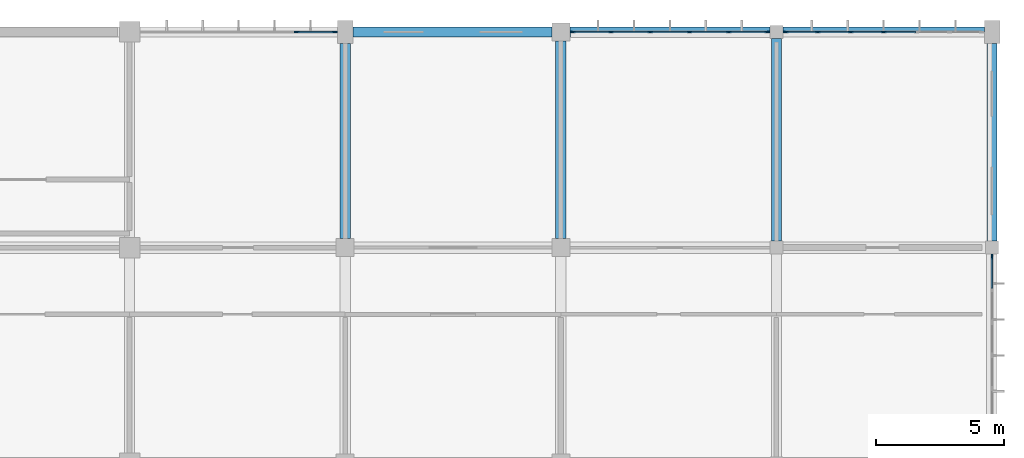
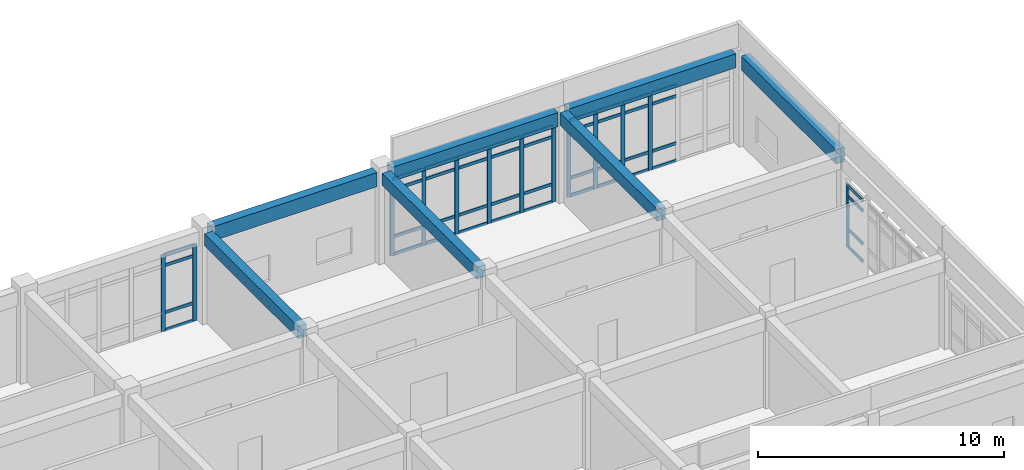
# One storey, part 61 of 138: 57 members, 7 beams, 4 elements without a shape of their own.
"""IFC4 building model written with IfcOpenShell, lengths in metres."""

from ifc_helpers import new_model, si_unit, direction, frame, origin, origin_2d, place, context, subcontext, project, spatial, rectangle, extrude, material, layer, layer_set, material_profile, profile_set, type_object, element, aggregate, save


model = new_model("IFC4")

# Units and contexts
model_context = context("Model", 3, precision=1e-05, world=origin(), true_north=direction((0.0, 1.0)))
body_context = subcontext(model_context, "Body", "Model", "MODEL_VIEW")
ifc_project = project(units=[si_unit("LENGTHUNIT", "METRE"), si_unit("AREAUNIT", "SQUARE_METRE"), si_unit("VOLUMEUNIT", "CUBIC_METRE"), si_unit("PLANEANGLEUNIT", "RADIAN"), si_unit("MASSUNIT", "GRAM", prefix="KILO")], contexts=[model_context])

# Site, building, storey
site_placement = place(None, origin())
site = spatial("IfcSite", under=ifc_project, at=site_placement, CompositionType="ELEMENT")
building_placement = place(site_placement, origin())
building = spatial("IfcBuilding", under=site, at=building_placement, Name="Bramfleet General Hospital", CompositionType="ELEMENT")
storey_placement = place(building_placement, origin())
storey = spatial("IfcBuildingStorey", under=building, at=storey_placement, Name="L00", CompositionType="ELEMENT", Elevation=0.0)

# Beams
ifc_material_1 = material(Name="Concrete C35/45", Category="concrete")
ifc_material_profile_1 = material_profile(ifc_material_1, rectangle(XDim=0.39990234375, YDim=0.60009765625, at=origin_2d()), Name="RC BM 600x400")
ifc_profile_set_1 = profile_set([ifc_material_profile_1], Name="Concrete C35/45")
beam_type_1 = type_object("IfcBeamType", Name="BM-RC600", PredefinedType="BEAM", material=ifc_profile_set_1)
beam_1_placement = place(storey_placement, frame((159.60009765625, 109.550048828125, 4.199951171875), z_axis=(0.0, 1.0, 0.0), x_axis=(-1.0, 0.0, 0.0)))
element("IfcBeam", 1, at=beam_1_placement, inside=storey, type_object=beam_type_1, Name="L00 Grid Beam Y 19-13", PredefinedType="BEAM", context=body_context, shape_type="SweptSolid", body=[
    extrude(rectangle(XDim=0.39990234375, YDim=0.60009765625, at=origin_2d()), origin(), (0.0, 0.0, 1.0), 7.599853515625),
])
beam_2_placement = place(storey_placement, frame((168.0, 109.550048828125, 4.199951171875), z_axis=(0.0, 1.0, 0.0), x_axis=(-1.0, 0.0, 0.0)))
element("IfcBeam", 2, at=beam_2_placement, inside=storey, type_object=beam_type_1, Name="L00 Grid Beam Y 20-13", PredefinedType="BEAM", context=body_context, shape_type="SweptSolid", body=[
    extrude(rectangle(XDim=0.39990234375, YDim=0.60009765625, at=origin_2d()), origin(), (0.0, 0.0, 1.0), 7.699951171875),
])
beam_3_placement = place(storey_placement, frame((176.39990234375, 109.449951171875, 4.199951171875), z_axis=(0.0, 1.0, 0.0), x_axis=(-1.0, 0.0, 0.0)))
element("IfcBeam", 3, at=beam_3_placement, inside=storey, type_object=beam_type_1, Name="L00 Grid Beam Y 21-13", PredefinedType="BEAM", context=body_context, shape_type="SweptSolid", body=[
    extrude(rectangle(XDim=0.39990234375, YDim=0.60009765625, at=origin_2d()), origin(), (0.0, 0.0, 1.0), 7.900146484375),
])
ifc_material_profile_2 = material_profile(ifc_material_1, rectangle(XDim=0.39990234375, YDim=0.699951171875, at=origin_2d()), Name="RC SP 700x400")
ifc_profile_set_2 = profile_set([ifc_material_profile_2], Name="Concrete C35/45")
beam_type_2 = type_object("IfcBeamType", Name="BM-SP700", PredefinedType="SPANDREL", material=ifc_profile_set_2)
beam_4_placement = place(storey_placement, frame((159.89990234375, 117.60009765625, 4.14990234375), z_axis=(1.0, 0.0, 0.0), x_axis=(0.0, 1.0, 0.0)))
element("IfcBeam", 4, at=beam_4_placement, inside=storey, type_object=beam_type_2, Name="L00 Grid Beam X 19-14", PredefinedType="SPANDREL", context=body_context, shape_type="SweptSolid", body=[
    extrude(rectangle(XDim=0.39990234375, YDim=0.699951171875, at=origin_2d()), origin(), (0.0, 0.0, 1.0), 7.75),
])
beam_5_placement = place(storey_placement, frame((168.35009765625, 117.60009765625, 4.14990234375), z_axis=(1.0, 0.0, 0.0), x_axis=(0.0, 1.0, 0.0)))
element("IfcBeam", 5, at=beam_5_placement, inside=storey, type_object=beam_type_2, Name="L00 Grid Beam X 20-14", PredefinedType="SPANDREL", context=body_context, shape_type="SweptSolid", body=[
    extrude(rectangle(XDim=0.39990234375, YDim=0.699951171875, at=origin_2d()), origin(), (0.0, 0.0, 1.0), 7.7998046875),
])
beam_6_placement = place(storey_placement, frame((176.64990234375, 117.60009765625, 4.14990234375), z_axis=(1.0, 0.0, 0.0), x_axis=(0.0, 1.0, 0.0)))
element("IfcBeam", 6, at=beam_6_placement, inside=storey, type_object=beam_type_2, Name="L00 Grid Beam X 21-14", PredefinedType="SPANDREL", context=body_context, shape_type="SweptSolid", body=[
    extrude(rectangle(XDim=0.39990234375, YDim=0.699951171875, at=origin_2d()), origin(), (0.0, 0.0, 1.0), 7.85009765625),
])
beam_7_placement = place(storey_placement, frame((184.800048828125, 109.449951171875, 4.14990234375), z_axis=(0.0, 1.0, 0.0), x_axis=(-1.0, 0.0, 0.0)))
element("IfcBeam", 7, at=beam_7_placement, inside=storey, type_object=beam_type_2, Name="L00 Grid Beam Y 22-13", PredefinedType="SPANDREL", context=body_context, shape_type="SweptSolid", body=[
    extrude(rectangle(XDim=0.39990234375, YDim=0.699951171875, at=origin_2d()), origin(), (0.0, 0.0, 1.0), 7.699951171875),
])

# Curtain wall, members
ifc_material_2 = material(Name="Anodised aluminium and low-E triple glazing", Category="aluminium")
ifc_layer_1 = layer(ifc_material_2, 0.179931640625, Name="CWT-CW-04")
ifc_layer_set_1 = layer_set([ifc_layer_1], Name="Anodised aluminium and low-E triple glazing")
curtain_wall_type_1 = type_object("IfcCurtainWallType", Name="CWT-CW-04", PredefinedType="USERDEFINED", material=ifc_layer_set_1)
curtain_wall_1_placement = place(storey_placement, origin())
curtain_wall_1 = element("IfcCurtainWall", 8, at=curtain_wall_1_placement, inside=storey, type_object=curtain_wall_type_1, Name="L00 Curtain Wall 4", ObjectType="Unitised curtain wall", PredefinedType="USERDEFINED")
ifc_material_3 = material(Name="Structural timber GL28h", Category="wood")
ifc_material_profile_3 = material_profile(ifc_material_3, rectangle(XDim=0.070068359375, YDim=0.18994140625, at=origin_2d()), Name="LARCH 190x70")
ifc_profile_set_3 = profile_set([ifc_material_profile_3], Name="Structural timber GL28h")
member_type_1 = type_object("IfcMemberType", Name="CWM-LARCH450", PredefinedType="MULLION", material=ifc_profile_set_3)
member_1_placement = place(storey_placement, frame((157.715087890625, 117.60009765625, 0.0), z_axis=(0.0, 0.0, 1.0), x_axis=(0.0, 1.0, 0.0)))
member_1 = element("IfcMember", 9, at=member_1_placement, type_object=member_type_1, Name="CW-04 mullion 5", PredefinedType="MULLION", context=body_context, shape_type="SweptSolid", body=[
    extrude(rectangle(XDim=0.070068359375, YDim=0.18994140625, at=origin_2d()), origin(), (0.0, 0.0, 1.0), 3.7900390625),
])
member_2_placement = place(storey_placement, frame((159.18994140625, 117.60009765625, 0.0), z_axis=(0.0, 0.0, 1.0), x_axis=(0.0, 1.0, 0.0)))
member_2 = element("IfcMember", 10, at=member_2_placement, type_object=member_type_1, Name="CW-04 mullion 6", PredefinedType="MULLION", context=body_context, shape_type="SweptSolid", body=[
    extrude(rectangle(XDim=0.070068359375, YDim=0.18994140625, at=origin_2d()), origin(), (0.0, 0.0, 1.0), 3.7900390625),
])

ifc_layer_2 = layer(ifc_material_2, 0.179931640625, Name="CWT-CW-05")
ifc_layer_set_2 = layer_set([ifc_layer_2], Name="Anodised aluminium and low-E triple glazing")
curtain_wall_type_2 = type_object("IfcCurtainWallType", Name="CWT-CW-05", PredefinedType="USERDEFINED", material=ifc_layer_set_2)
curtain_wall_2_placement = place(storey_placement, origin())
curtain_wall_2 = element("IfcCurtainWall", 11, at=curtain_wall_2_placement, inside=storey, type_object=curtain_wall_type_2, Name="L00 Curtain Wall 5", ObjectType="Unitised curtain wall", PredefinedType="USERDEFINED")
member_3_placement = place(storey_placement, frame((168.4599609375, 117.60009765625, 0.0), z_axis=(0.0, 0.0, 1.0), x_axis=(0.0, 1.0, 0.0)))
member_3 = element("IfcMember", 12, at=member_3_placement, type_object=member_type_1, Name="CW-05 mullion 1", PredefinedType="MULLION", context=body_context, shape_type="SweptSolid", body=[
    extrude(rectangle(XDim=0.070068359375, YDim=0.18994140625, at=origin_2d()), origin(), (0.0, 0.0, 1.0), 3.7900390625),
])
member_4_placement = place(storey_placement, frame((169.955078125, 117.60009765625, 0.0), z_axis=(0.0, 0.0, 1.0), x_axis=(0.0, 1.0, 0.0)))
member_4 = element("IfcMember", 13, at=member_4_placement, type_object=member_type_1, Name="CW-05 mullion 2", PredefinedType="MULLION", context=body_context, shape_type="SweptSolid", body=[
    extrude(rectangle(XDim=0.070068359375, YDim=0.18994140625, at=origin_2d()), origin(), (0.0, 0.0, 1.0), 3.7900390625),
])
member_5_placement = place(storey_placement, frame((171.485107421875, 117.60009765625, 0.0), z_axis=(0.0, 0.0, 1.0), x_axis=(0.0, 1.0, 0.0)))
member_5 = element("IfcMember", 14, at=member_5_placement, type_object=member_type_1, Name="CW-05 mullion 3", PredefinedType="MULLION", context=body_context, shape_type="SweptSolid", body=[
    extrude(rectangle(XDim=0.070068359375, YDim=0.18994140625, at=origin_2d()), origin(), (0.0, 0.0, 1.0), 3.7900390625),
])
member_6_placement = place(storey_placement, frame((173.014892578125, 117.60009765625, 0.0), z_axis=(0.0, 0.0, 1.0), x_axis=(0.0, 1.0, 0.0)))
member_6 = element("IfcMember", 15, at=member_6_placement, type_object=member_type_1, Name="CW-05 mullion 4", PredefinedType="MULLION", context=body_context, shape_type="SweptSolid", body=[
    extrude(rectangle(XDim=0.070068359375, YDim=0.18994140625, at=origin_2d()), origin(), (0.0, 0.0, 1.0), 3.7900390625),
])
member_7_placement = place(storey_placement, frame((174.544921875, 117.60009765625, 0.0), z_axis=(0.0, 0.0, 1.0), x_axis=(0.0, 1.0, 0.0)))
member_7 = element("IfcMember", 16, at=member_7_placement, type_object=member_type_1, Name="CW-05 mullion 5", PredefinedType="MULLION", context=body_context, shape_type="SweptSolid", body=[
    extrude(rectangle(XDim=0.070068359375, YDim=0.18994140625, at=origin_2d()), origin(), (0.0, 0.0, 1.0), 3.7900390625),
])
member_8_placement = place(storey_placement, frame((176.0400390625, 117.60009765625, 0.0), z_axis=(0.0, 0.0, 1.0), x_axis=(0.0, 1.0, 0.0)))
member_8 = element("IfcMember", 17, at=member_8_placement, type_object=member_type_1, Name="CW-05 mullion 6", PredefinedType="MULLION", context=body_context, shape_type="SweptSolid", body=[
    extrude(rectangle(XDim=0.070068359375, YDim=0.18994140625, at=origin_2d()), origin(), (0.0, 0.0, 1.0), 3.7900390625),
])

ifc_layer_3 = layer(ifc_material_2, 0.179931640625, Name="CWT-CW-06")
ifc_layer_set_3 = layer_set([ifc_layer_3], Name="Anodised aluminium and low-E triple glazing")
curtain_wall_type_3 = type_object("IfcCurtainWallType", Name="CWT-CW-06", PredefinedType="USERDEFINED", material=ifc_layer_set_3)
curtain_wall_3_placement = place(storey_placement, origin())
curtain_wall_3 = element("IfcCurtainWall", 18, at=curtain_wall_3_placement, inside=storey, type_object=curtain_wall_type_3, Name="L00 Curtain Wall 6", ObjectType="Unitised curtain wall", PredefinedType="USERDEFINED")
member_9_placement = place(storey_placement, frame((176.760009765625, 117.60009765625, 0.0), z_axis=(0.0, 0.0, 1.0), x_axis=(0.0, 1.0, 0.0)))
member_9 = element("IfcMember", 19, at=member_9_placement, type_object=member_type_1, Name="CW-06 mullion 1", PredefinedType="MULLION", context=body_context, shape_type="SweptSolid", body=[
    extrude(rectangle(XDim=0.070068359375, YDim=0.18994140625, at=origin_2d()), origin(), (0.0, 0.0, 1.0), 3.7900390625),
])
member_10_placement = place(storey_placement, frame((178.00830078125, 117.60009765625, 0.0), z_axis=(0.0, 0.0, 1.0), x_axis=(0.0, 1.0, 0.0)))
member_10 = element("IfcMember", 20, at=member_10_placement, type_object=member_type_1, Name="CW-06 mullion 2", PredefinedType="MULLION", context=body_context, shape_type="SweptSolid", body=[
    extrude(rectangle(XDim=0.070068359375, YDim=0.18994140625, at=origin_2d()), origin(), (0.0, 0.0, 1.0), 3.7900390625),
])
member_11_placement = place(storey_placement, frame((179.291748046875, 117.60009765625, 0.0), z_axis=(0.0, 0.0, 1.0), x_axis=(0.0, 1.0, 0.0)))
member_11 = element("IfcMember", 21, at=member_11_placement, type_object=member_type_1, Name="CW-06 mullion 3", PredefinedType="MULLION", context=body_context, shape_type="SweptSolid", body=[
    extrude(rectangle(XDim=0.070068359375, YDim=0.18994140625, at=origin_2d()), origin(), (0.0, 0.0, 1.0), 3.7900390625),
])
member_12_placement = place(storey_placement, frame((180.574951171875, 117.60009765625, 0.0), z_axis=(0.0, 0.0, 1.0), x_axis=(0.0, 1.0, 0.0)))
member_12 = element("IfcMember", 22, at=member_12_placement, type_object=member_type_1, Name="CW-06 mullion 4", PredefinedType="MULLION", context=body_context, shape_type="SweptSolid", body=[
    extrude(rectangle(XDim=0.070068359375, YDim=0.18994140625, at=origin_2d()), origin(), (0.0, 0.0, 1.0), 3.7900390625),
])

# Curtain wall, member
ifc_layer_4 = layer(ifc_material_2, 0.179931640625, Name="CWT-CW-07")
ifc_layer_set_4 = layer_set([ifc_layer_4], Name="Anodised aluminium and low-E triple glazing")
curtain_wall_type_4 = type_object("IfcCurtainWallType", Name="CWT-CW-07", PredefinedType="USERDEFINED", material=ifc_layer_set_4)
curtain_wall_4_placement = place(storey_placement, origin())
curtain_wall_4 = element("IfcCurtainWall", 23, at=curtain_wall_4_placement, inside=storey, type_object=curtain_wall_type_4, Name="L00 Curtain Wall 7", ObjectType="Unitised curtain wall", PredefinedType="USERDEFINED")
member_13_placement = place(storey_placement, frame((184.800048828125, 108.840087890625, 0.0), z_axis=(0.0, 0.0, 1.0), x_axis=(1.0, 0.0, 0.0)))
member_13 = element("IfcMember", 24, at=member_13_placement, type_object=member_type_1, Name="CW-07 mullion 1", PredefinedType="MULLION", context=body_context, shape_type="SweptSolid", body=[
    extrude(rectangle(XDim=0.070068359375, YDim=0.18994140625, at=origin_2d()), origin(), (0.0, 0.0, 1.0), 3.090087890625),
])

# Member
ifc_material_profile_4 = material_profile(ifc_material_3, rectangle(XDim=0.06494140625, YDim=0.14990234375, at=origin_2d()), Name="LARCH 150x65")
ifc_profile_set_4 = profile_set([ifc_material_profile_4], Name="Structural timber GL28h")
member_type_2 = type_object("IfcMemberType", Name="CWT-LARCH220", PredefinedType="USERDEFINED", material=ifc_profile_set_4)
member_14_placement = place(storey_placement, frame((157.75, 117.60009765625, 0.032470703125), z_axis=(1.0, 0.0, 0.0), x_axis=(0.0, 1.0, 0.0)))
member_14 = element("IfcMember", 25, at=member_14_placement, type_object=member_type_2, Name="CW-04 transom 5.1", ObjectType="TRANSOM", PredefinedType="USERDEFINED", context=body_context, shape_type="SweptSolid", body=[
    extrude(rectangle(XDim=0.06494140625, YDim=0.14990234375, at=origin_2d()), origin(), (0.0, 0.0, 1.0), 1.405029296875),
])

member_15_placement = place(storey_placement, frame((157.75, 117.60009765625, 0.89990234375), z_axis=(1.0, 0.0, 0.0), x_axis=(0.0, 1.0, 0.0)))
member_15 = element("IfcMember", 26, at=member_15_placement, type_object=member_type_2, Name="CW-04 transom 5.2", ObjectType="TRANSOM", PredefinedType="USERDEFINED", context=body_context, shape_type="SweptSolid", body=[
    extrude(rectangle(XDim=0.06494140625, YDim=0.14990234375, at=origin_2d()), origin(), (0.0, 0.0, 1.0), 1.405029296875),
])

member_16_placement = place(storey_placement, frame((157.75, 117.60009765625, 3.239990234375), z_axis=(1.0, 0.0, 0.0), x_axis=(0.0, 1.0, 0.0)))
member_16 = element("IfcMember", 27, at=member_16_placement, type_object=member_type_2, Name="CW-04 transom 5.3", ObjectType="TRANSOM", PredefinedType="USERDEFINED", context=body_context, shape_type="SweptSolid", body=[
    extrude(rectangle(XDim=0.06494140625, YDim=0.14990234375, at=origin_2d()), origin(), (0.0, 0.0, 1.0), 1.405029296875),
])

member_17_placement = place(storey_placement, frame((157.75, 117.60009765625, 3.757568359375), z_axis=(1.0, 0.0, 0.0), x_axis=(0.0, 1.0, 0.0)))
member_17 = element("IfcMember", 28, at=member_17_placement, type_object=member_type_2, Name="CW-04 transom 5.4", ObjectType="TRANSOM", PredefinedType="USERDEFINED", context=body_context, shape_type="SweptSolid", body=[
    extrude(rectangle(XDim=0.06494140625, YDim=0.14990234375, at=origin_2d()), origin(), (0.0, 0.0, 1.0), 1.405029296875),
])

aggregate(curtain_wall_1, [member_1, member_2, member_14, member_15, member_16, member_17])

member_18_placement = place(storey_placement, frame((168.4951171875, 117.60009765625, 0.032470703125), z_axis=(1.0, 0.0, 0.0), x_axis=(0.0, 1.0, 0.0)))
member_18 = element("IfcMember", 29, at=member_18_placement, type_object=member_type_2, Name="CW-05 transom 1.1", ObjectType="TRANSOM", PredefinedType="USERDEFINED", context=body_context, shape_type="SweptSolid", body=[
    extrude(rectangle(XDim=0.06494140625, YDim=0.14990234375, at=origin_2d()), origin(), (0.0, 0.0, 1.0), 1.4248046875),
])

member_19_placement = place(storey_placement, frame((168.4951171875, 117.60009765625, 0.89990234375), z_axis=(1.0, 0.0, 0.0), x_axis=(0.0, 1.0, 0.0)))
member_19 = element("IfcMember", 30, at=member_19_placement, type_object=member_type_2, Name="CW-05 transom 1.2", ObjectType="TRANSOM", PredefinedType="USERDEFINED", context=body_context, shape_type="SweptSolid", body=[
    extrude(rectangle(XDim=0.06494140625, YDim=0.14990234375, at=origin_2d()), origin(), (0.0, 0.0, 1.0), 1.4248046875),
])

member_20_placement = place(storey_placement, frame((168.4951171875, 117.60009765625, 3.239990234375), z_axis=(1.0, 0.0, 0.0), x_axis=(0.0, 1.0, 0.0)))
member_20 = element("IfcMember", 31, at=member_20_placement, type_object=member_type_2, Name="CW-05 transom 1.3", ObjectType="TRANSOM", PredefinedType="USERDEFINED", context=body_context, shape_type="SweptSolid", body=[
    extrude(rectangle(XDim=0.06494140625, YDim=0.14990234375, at=origin_2d()), origin(), (0.0, 0.0, 1.0), 1.4248046875),
])

member_21_placement = place(storey_placement, frame((168.4951171875, 117.60009765625, 3.757568359375), z_axis=(1.0, 0.0, 0.0), x_axis=(0.0, 1.0, 0.0)))
member_21 = element("IfcMember", 32, at=member_21_placement, type_object=member_type_2, Name="CW-05 transom 1.4", ObjectType="TRANSOM", PredefinedType="USERDEFINED", context=body_context, shape_type="SweptSolid", body=[
    extrude(rectangle(XDim=0.06494140625, YDim=0.14990234375, at=origin_2d()), origin(), (0.0, 0.0, 1.0), 1.4248046875),
])

member_22_placement = place(storey_placement, frame((169.989990234375, 117.60009765625, 0.032470703125), z_axis=(1.0, 0.0, 0.0), x_axis=(0.0, 1.0, 0.0)))
member_22 = element("IfcMember", 33, at=member_22_placement, type_object=member_type_2, Name="CW-05 transom 2.1", ObjectType="TRANSOM", PredefinedType="USERDEFINED", context=body_context, shape_type="SweptSolid", body=[
    extrude(rectangle(XDim=0.06494140625, YDim=0.14990234375, at=origin_2d()), origin(), (0.0, 0.0, 1.0), 1.4599609375),
])

member_23_placement = place(storey_placement, frame((169.989990234375, 117.60009765625, 0.89990234375), z_axis=(1.0, 0.0, 0.0), x_axis=(0.0, 1.0, 0.0)))
member_23 = element("IfcMember", 34, at=member_23_placement, type_object=member_type_2, Name="CW-05 transom 2.2", ObjectType="TRANSOM", PredefinedType="USERDEFINED", context=body_context, shape_type="SweptSolid", body=[
    extrude(rectangle(XDim=0.06494140625, YDim=0.14990234375, at=origin_2d()), origin(), (0.0, 0.0, 1.0), 1.4599609375),
])

member_24_placement = place(storey_placement, frame((169.989990234375, 117.60009765625, 3.239990234375), z_axis=(1.0, 0.0, 0.0), x_axis=(0.0, 1.0, 0.0)))
member_24 = element("IfcMember", 35, at=member_24_placement, type_object=member_type_2, Name="CW-05 transom 2.3", ObjectType="TRANSOM", PredefinedType="USERDEFINED", context=body_context, shape_type="SweptSolid", body=[
    extrude(rectangle(XDim=0.06494140625, YDim=0.14990234375, at=origin_2d()), origin(), (0.0, 0.0, 1.0), 1.4599609375),
])

member_25_placement = place(storey_placement, frame((169.989990234375, 117.60009765625, 3.757568359375), z_axis=(1.0, 0.0, 0.0), x_axis=(0.0, 1.0, 0.0)))
member_25 = element("IfcMember", 36, at=member_25_placement, type_object=member_type_2, Name="CW-05 transom 2.4", ObjectType="TRANSOM", PredefinedType="USERDEFINED", context=body_context, shape_type="SweptSolid", body=[
    extrude(rectangle(XDim=0.06494140625, YDim=0.14990234375, at=origin_2d()), origin(), (0.0, 0.0, 1.0), 1.4599609375),
])

member_26_placement = place(storey_placement, frame((171.52001953125, 117.60009765625, 0.032470703125), z_axis=(1.0, 0.0, 0.0), x_axis=(0.0, 1.0, 0.0)))
member_26 = element("IfcMember", 37, at=member_26_placement, type_object=member_type_2, Name="CW-05 transom 3.1", ObjectType="TRANSOM", PredefinedType="USERDEFINED", context=body_context, shape_type="SweptSolid", body=[
    extrude(rectangle(XDim=0.06494140625, YDim=0.14990234375, at=origin_2d()), origin(), (0.0, 0.0, 1.0), 1.4599609375),
])

member_27_placement = place(storey_placement, frame((171.52001953125, 117.60009765625, 0.89990234375), z_axis=(1.0, 0.0, 0.0), x_axis=(0.0, 1.0, 0.0)))
member_27 = element("IfcMember", 38, at=member_27_placement, type_object=member_type_2, Name="CW-05 transom 3.2", ObjectType="TRANSOM", PredefinedType="USERDEFINED", context=body_context, shape_type="SweptSolid", body=[
    extrude(rectangle(XDim=0.06494140625, YDim=0.14990234375, at=origin_2d()), origin(), (0.0, 0.0, 1.0), 1.4599609375),
])

member_28_placement = place(storey_placement, frame((171.52001953125, 117.60009765625, 3.239990234375), z_axis=(1.0, 0.0, 0.0), x_axis=(0.0, 1.0, 0.0)))
member_28 = element("IfcMember", 39, at=member_28_placement, type_object=member_type_2, Name="CW-05 transom 3.3", ObjectType="TRANSOM", PredefinedType="USERDEFINED", context=body_context, shape_type="SweptSolid", body=[
    extrude(rectangle(XDim=0.06494140625, YDim=0.14990234375, at=origin_2d()), origin(), (0.0, 0.0, 1.0), 1.4599609375),
])

member_29_placement = place(storey_placement, frame((171.52001953125, 117.60009765625, 3.757568359375), z_axis=(1.0, 0.0, 0.0), x_axis=(0.0, 1.0, 0.0)))
member_29 = element("IfcMember", 40, at=member_29_placement, type_object=member_type_2, Name="CW-05 transom 3.4", ObjectType="TRANSOM", PredefinedType="USERDEFINED", context=body_context, shape_type="SweptSolid", body=[
    extrude(rectangle(XDim=0.06494140625, YDim=0.14990234375, at=origin_2d()), origin(), (0.0, 0.0, 1.0), 1.4599609375),
])

member_30_placement = place(storey_placement, frame((173.050048828125, 117.60009765625, 0.032470703125), z_axis=(1.0, 0.0, 0.0), x_axis=(0.0, 1.0, 0.0)))
member_30 = element("IfcMember", 41, at=member_30_placement, type_object=member_type_2, Name="CW-05 transom 4.1", ObjectType="TRANSOM", PredefinedType="USERDEFINED", context=body_context, shape_type="SweptSolid", body=[
    extrude(rectangle(XDim=0.06494140625, YDim=0.14990234375, at=origin_2d()), origin(), (0.0, 0.0, 1.0), 1.4599609375),
])

member_31_placement = place(storey_placement, frame((173.050048828125, 117.60009765625, 0.89990234375), z_axis=(1.0, 0.0, 0.0), x_axis=(0.0, 1.0, 0.0)))
member_31 = element("IfcMember", 42, at=member_31_placement, type_object=member_type_2, Name="CW-05 transom 4.2", ObjectType="TRANSOM", PredefinedType="USERDEFINED", context=body_context, shape_type="SweptSolid", body=[
    extrude(rectangle(XDim=0.06494140625, YDim=0.14990234375, at=origin_2d()), origin(), (0.0, 0.0, 1.0), 1.4599609375),
])

member_32_placement = place(storey_placement, frame((173.050048828125, 117.60009765625, 3.239990234375), z_axis=(1.0, 0.0, 0.0), x_axis=(0.0, 1.0, 0.0)))
member_32 = element("IfcMember", 43, at=member_32_placement, type_object=member_type_2, Name="CW-05 transom 4.3", ObjectType="TRANSOM", PredefinedType="USERDEFINED", context=body_context, shape_type="SweptSolid", body=[
    extrude(rectangle(XDim=0.06494140625, YDim=0.14990234375, at=origin_2d()), origin(), (0.0, 0.0, 1.0), 1.4599609375),
])

member_33_placement = place(storey_placement, frame((173.050048828125, 117.60009765625, 3.757568359375), z_axis=(1.0, 0.0, 0.0), x_axis=(0.0, 1.0, 0.0)))
member_33 = element("IfcMember", 44, at=member_33_placement, type_object=member_type_2, Name="CW-05 transom 4.4", ObjectType="TRANSOM", PredefinedType="USERDEFINED", context=body_context, shape_type="SweptSolid", body=[
    extrude(rectangle(XDim=0.06494140625, YDim=0.14990234375, at=origin_2d()), origin(), (0.0, 0.0, 1.0), 1.4599609375),
])

member_34_placement = place(storey_placement, frame((174.580078125, 117.60009765625, 0.032470703125), z_axis=(1.0, 0.0, 0.0), x_axis=(0.0, 1.0, 0.0)))
member_34 = element("IfcMember", 45, at=member_34_placement, type_object=member_type_2, Name="CW-05 transom 5.1", ObjectType="TRANSOM", PredefinedType="USERDEFINED", context=body_context, shape_type="SweptSolid", body=[
    extrude(rectangle(XDim=0.06494140625, YDim=0.14990234375, at=origin_2d()), origin(), (0.0, 0.0, 1.0), 1.4248046875),
])

member_35_placement = place(storey_placement, frame((174.580078125, 117.60009765625, 0.89990234375), z_axis=(1.0, 0.0, 0.0), x_axis=(0.0, 1.0, 0.0)))
member_35 = element("IfcMember", 46, at=member_35_placement, type_object=member_type_2, Name="CW-05 transom 5.2", ObjectType="TRANSOM", PredefinedType="USERDEFINED", context=body_context, shape_type="SweptSolid", body=[
    extrude(rectangle(XDim=0.06494140625, YDim=0.14990234375, at=origin_2d()), origin(), (0.0, 0.0, 1.0), 1.4248046875),
])

member_36_placement = place(storey_placement, frame((174.580078125, 117.60009765625, 3.239990234375), z_axis=(1.0, 0.0, 0.0), x_axis=(0.0, 1.0, 0.0)))
member_36 = element("IfcMember", 47, at=member_36_placement, type_object=member_type_2, Name="CW-05 transom 5.3", ObjectType="TRANSOM", PredefinedType="USERDEFINED", context=body_context, shape_type="SweptSolid", body=[
    extrude(rectangle(XDim=0.06494140625, YDim=0.14990234375, at=origin_2d()), origin(), (0.0, 0.0, 1.0), 1.4248046875),
])

member_37_placement = place(storey_placement, frame((174.580078125, 117.60009765625, 3.757568359375), z_axis=(1.0, 0.0, 0.0), x_axis=(0.0, 1.0, 0.0)))
member_37 = element("IfcMember", 48, at=member_37_placement, type_object=member_type_2, Name="CW-05 transom 5.4", ObjectType="TRANSOM", PredefinedType="USERDEFINED", context=body_context, shape_type="SweptSolid", body=[
    extrude(rectangle(XDim=0.06494140625, YDim=0.14990234375, at=origin_2d()), origin(), (0.0, 0.0, 1.0), 1.4248046875),
])

aggregate(curtain_wall_2, [member_3, member_4, member_5, member_6, member_7, member_8, member_18, member_19, member_20, member_21, member_22, member_23, member_24, member_25, member_26, member_27, member_28, member_29, member_30, member_31, member_32, member_33, member_34, member_35, member_36, member_37])

member_38_placement = place(storey_placement, frame((176.794921875, 117.60009765625, 0.032470703125), z_axis=(1.0, 0.0, 0.0), x_axis=(0.0, 1.0, 0.0)))
member_38 = element("IfcMember", 49, at=member_38_placement, type_object=member_type_2, Name="CW-06 transom 1.1", ObjectType="TRANSOM", PredefinedType="USERDEFINED", context=body_context, shape_type="SweptSolid", body=[
    extrude(rectangle(XDim=0.06494140625, YDim=0.14990234375, at=origin_2d()), origin(), (0.0, 0.0, 1.0), 1.178466796875),
])

member_39_placement = place(storey_placement, frame((176.794921875, 117.60009765625, 0.89990234375), z_axis=(1.0, 0.0, 0.0), x_axis=(0.0, 1.0, 0.0)))
member_39 = element("IfcMember", 50, at=member_39_placement, type_object=member_type_2, Name="CW-06 transom 1.2", ObjectType="TRANSOM", PredefinedType="USERDEFINED", context=body_context, shape_type="SweptSolid", body=[
    extrude(rectangle(XDim=0.06494140625, YDim=0.14990234375, at=origin_2d()), origin(), (0.0, 0.0, 1.0), 1.178466796875),
])

member_40_placement = place(storey_placement, frame((176.794921875, 117.60009765625, 3.239990234375), z_axis=(1.0, 0.0, 0.0), x_axis=(0.0, 1.0, 0.0)))
member_40 = element("IfcMember", 51, at=member_40_placement, type_object=member_type_2, Name="CW-06 transom 1.3", ObjectType="TRANSOM", PredefinedType="USERDEFINED", context=body_context, shape_type="SweptSolid", body=[
    extrude(rectangle(XDim=0.06494140625, YDim=0.14990234375, at=origin_2d()), origin(), (0.0, 0.0, 1.0), 1.178466796875),
])

member_41_placement = place(storey_placement, frame((176.794921875, 117.60009765625, 3.757568359375), z_axis=(1.0, 0.0, 0.0), x_axis=(0.0, 1.0, 0.0)))
member_41 = element("IfcMember", 52, at=member_41_placement, type_object=member_type_2, Name="CW-06 transom 1.4", ObjectType="TRANSOM", PredefinedType="USERDEFINED", context=body_context, shape_type="SweptSolid", body=[
    extrude(rectangle(XDim=0.06494140625, YDim=0.14990234375, at=origin_2d()), origin(), (0.0, 0.0, 1.0), 1.178466796875),
])

member_42_placement = place(storey_placement, frame((178.043212890625, 117.60009765625, 0.032470703125), z_axis=(1.0, 0.0, 0.0), x_axis=(0.0, 1.0, 0.0)))
member_42 = element("IfcMember", 53, at=member_42_placement, type_object=member_type_2, Name="CW-06 transom 2.1", ObjectType="TRANSOM", PredefinedType="USERDEFINED", context=body_context, shape_type="SweptSolid", body=[
    extrude(rectangle(XDim=0.06494140625, YDim=0.14990234375, at=origin_2d()), origin(), (0.0, 0.0, 1.0), 1.21337890625),
])

member_43_placement = place(storey_placement, frame((178.043212890625, 117.60009765625, 0.89990234375), z_axis=(1.0, 0.0, 0.0), x_axis=(0.0, 1.0, 0.0)))
member_43 = element("IfcMember", 54, at=member_43_placement, type_object=member_type_2, Name="CW-06 transom 2.2", ObjectType="TRANSOM", PredefinedType="USERDEFINED", context=body_context, shape_type="SweptSolid", body=[
    extrude(rectangle(XDim=0.06494140625, YDim=0.14990234375, at=origin_2d()), origin(), (0.0, 0.0, 1.0), 1.21337890625),
])

member_44_placement = place(storey_placement, frame((178.043212890625, 117.60009765625, 3.239990234375), z_axis=(1.0, 0.0, 0.0), x_axis=(0.0, 1.0, 0.0)))
member_44 = element("IfcMember", 55, at=member_44_placement, type_object=member_type_2, Name="CW-06 transom 2.3", ObjectType="TRANSOM", PredefinedType="USERDEFINED", context=body_context, shape_type="SweptSolid", body=[
    extrude(rectangle(XDim=0.06494140625, YDim=0.14990234375, at=origin_2d()), origin(), (0.0, 0.0, 1.0), 1.21337890625),
])

member_45_placement = place(storey_placement, frame((178.043212890625, 117.60009765625, 3.757568359375), z_axis=(1.0, 0.0, 0.0), x_axis=(0.0, 1.0, 0.0)))
member_45 = element("IfcMember", 56, at=member_45_placement, type_object=member_type_2, Name="CW-06 transom 2.4", ObjectType="TRANSOM", PredefinedType="USERDEFINED", context=body_context, shape_type="SweptSolid", body=[
    extrude(rectangle(XDim=0.06494140625, YDim=0.14990234375, at=origin_2d()), origin(), (0.0, 0.0, 1.0), 1.21337890625),
])

member_46_placement = place(storey_placement, frame((179.32666015625, 117.60009765625, 0.032470703125), z_axis=(1.0, 0.0, 0.0), x_axis=(0.0, 1.0, 0.0)))
member_46 = element("IfcMember", 57, at=member_46_placement, type_object=member_type_2, Name="CW-06 transom 3.1", ObjectType="TRANSOM", PredefinedType="USERDEFINED", context=body_context, shape_type="SweptSolid", body=[
    extrude(rectangle(XDim=0.06494140625, YDim=0.14990234375, at=origin_2d()), origin(), (0.0, 0.0, 1.0), 1.21337890625),
])

member_47_placement = place(storey_placement, frame((179.32666015625, 117.60009765625, 0.89990234375), z_axis=(1.0, 0.0, 0.0), x_axis=(0.0, 1.0, 0.0)))
member_47 = element("IfcMember", 58, at=member_47_placement, type_object=member_type_2, Name="CW-06 transom 3.2", ObjectType="TRANSOM", PredefinedType="USERDEFINED", context=body_context, shape_type="SweptSolid", body=[
    extrude(rectangle(XDim=0.06494140625, YDim=0.14990234375, at=origin_2d()), origin(), (0.0, 0.0, 1.0), 1.21337890625),
])

member_48_placement = place(storey_placement, frame((179.32666015625, 117.60009765625, 3.239990234375), z_axis=(1.0, 0.0, 0.0), x_axis=(0.0, 1.0, 0.0)))
member_48 = element("IfcMember", 59, at=member_48_placement, type_object=member_type_2, Name="CW-06 transom 3.3", ObjectType="TRANSOM", PredefinedType="USERDEFINED", context=body_context, shape_type="SweptSolid", body=[
    extrude(rectangle(XDim=0.06494140625, YDim=0.14990234375, at=origin_2d()), origin(), (0.0, 0.0, 1.0), 1.21337890625),
])

member_49_placement = place(storey_placement, frame((179.32666015625, 117.60009765625, 3.757568359375), z_axis=(1.0, 0.0, 0.0), x_axis=(0.0, 1.0, 0.0)))
member_49 = element("IfcMember", 60, at=member_49_placement, type_object=member_type_2, Name="CW-06 transom 3.4", ObjectType="TRANSOM", PredefinedType="USERDEFINED", context=body_context, shape_type="SweptSolid", body=[
    extrude(rectangle(XDim=0.06494140625, YDim=0.14990234375, at=origin_2d()), origin(), (0.0, 0.0, 1.0), 1.21337890625),
])

member_50_placement = place(storey_placement, frame((180.610107421875, 117.60009765625, 0.032470703125), z_axis=(1.0, 0.0, 0.0), x_axis=(0.0, 1.0, 0.0)))
member_50 = element("IfcMember", 61, at=member_50_placement, type_object=member_type_2, Name="CW-06 transom 4.1", ObjectType="TRANSOM", PredefinedType="USERDEFINED", context=body_context, shape_type="SweptSolid", body=[
    extrude(rectangle(XDim=0.06494140625, YDim=0.14990234375, at=origin_2d()), origin(), (0.0, 0.0, 1.0), 1.213134765625),
])

member_51_placement = place(storey_placement, frame((180.610107421875, 117.60009765625, 0.89990234375), z_axis=(1.0, 0.0, 0.0), x_axis=(0.0, 1.0, 0.0)))
member_51 = element("IfcMember", 62, at=member_51_placement, type_object=member_type_2, Name="CW-06 transom 4.2", ObjectType="TRANSOM", PredefinedType="USERDEFINED", context=body_context, shape_type="SweptSolid", body=[
    extrude(rectangle(XDim=0.06494140625, YDim=0.14990234375, at=origin_2d()), origin(), (0.0, 0.0, 1.0), 1.213134765625),
])

member_52_placement = place(storey_placement, frame((180.610107421875, 117.60009765625, 3.239990234375), z_axis=(1.0, 0.0, 0.0), x_axis=(0.0, 1.0, 0.0)))
member_52 = element("IfcMember", 63, at=member_52_placement, type_object=member_type_2, Name="CW-06 transom 4.3", ObjectType="TRANSOM", PredefinedType="USERDEFINED", context=body_context, shape_type="SweptSolid", body=[
    extrude(rectangle(XDim=0.06494140625, YDim=0.14990234375, at=origin_2d()), origin(), (0.0, 0.0, 1.0), 1.213134765625),
])

member_53_placement = place(storey_placement, frame((180.610107421875, 117.60009765625, 3.757568359375), z_axis=(1.0, 0.0, 0.0), x_axis=(0.0, 1.0, 0.0)))
member_53 = element("IfcMember", 64, at=member_53_placement, type_object=member_type_2, Name="CW-06 transom 4.4", ObjectType="TRANSOM", PredefinedType="USERDEFINED", context=body_context, shape_type="SweptSolid", body=[
    extrude(rectangle(XDim=0.06494140625, YDim=0.14990234375, at=origin_2d()), origin(), (0.0, 0.0, 1.0), 1.213134765625),
])

aggregate(curtain_wall_3, [member_9, member_10, member_11, member_12, member_38, member_39, member_40, member_41, member_42, member_43, member_44, member_45, member_46, member_47, member_48, member_49, member_50, member_51, member_52, member_53])

member_54_placement = place(storey_placement, frame((184.800048828125, 108.804931640625, 0.032470703125), z_axis=(0.0, -1.0, 0.0), x_axis=(1.0, 0.0, 0.0)))
member_54 = element("IfcMember", 65, at=member_54_placement, type_object=member_type_2, Name="CW-07 transom 1.1", ObjectType="TRANSOM", PredefinedType="USERDEFINED", context=body_context, shape_type="SweptSolid", body=[
    extrude(rectangle(XDim=0.06494140625, YDim=0.14990234375, at=origin_2d()), origin(), (0.0, 0.0, 1.0), 1.1865234375),
])

member_55_placement = place(storey_placement, frame((184.800048828125, 108.804931640625, 0.89990234375), z_axis=(0.0, -1.0, 0.0), x_axis=(1.0, 0.0, 0.0)))
member_55 = element("IfcMember", 66, at=member_55_placement, type_object=member_type_2, Name="CW-07 transom 1.2", ObjectType="TRANSOM", PredefinedType="USERDEFINED", context=body_context, shape_type="SweptSolid", body=[
    extrude(rectangle(XDim=0.06494140625, YDim=0.14990234375, at=origin_2d()), origin(), (0.0, 0.0, 1.0), 1.1865234375),
])

member_56_placement = place(storey_placement, frame((184.800048828125, 108.804931640625, 2.5400390625), z_axis=(0.0, -1.0, 0.0), x_axis=(1.0, 0.0, 0.0)))
member_56 = element("IfcMember", 67, at=member_56_placement, type_object=member_type_2, Name="CW-07 transom 1.3", ObjectType="TRANSOM", PredefinedType="USERDEFINED", context=body_context, shape_type="SweptSolid", body=[
    extrude(rectangle(XDim=0.06494140625, YDim=0.14990234375, at=origin_2d()), origin(), (0.0, 0.0, 1.0), 1.1865234375),
])

member_57_placement = place(storey_placement, frame((184.800048828125, 108.804931640625, 3.0576171875), z_axis=(0.0, -1.0, 0.0), x_axis=(1.0, 0.0, 0.0)))
member_57 = element("IfcMember", 68, at=member_57_placement, type_object=member_type_2, Name="CW-07 transom 1.4", ObjectType="TRANSOM", PredefinedType="USERDEFINED", context=body_context, shape_type="SweptSolid", body=[
    extrude(rectangle(XDim=0.06494140625, YDim=0.14990234375, at=origin_2d()), origin(), (0.0, 0.0, 1.0), 1.1865234375),
])

aggregate(curtain_wall_4, [member_13, member_54, member_55, member_56, member_57])

save(model, "model.ifc")
